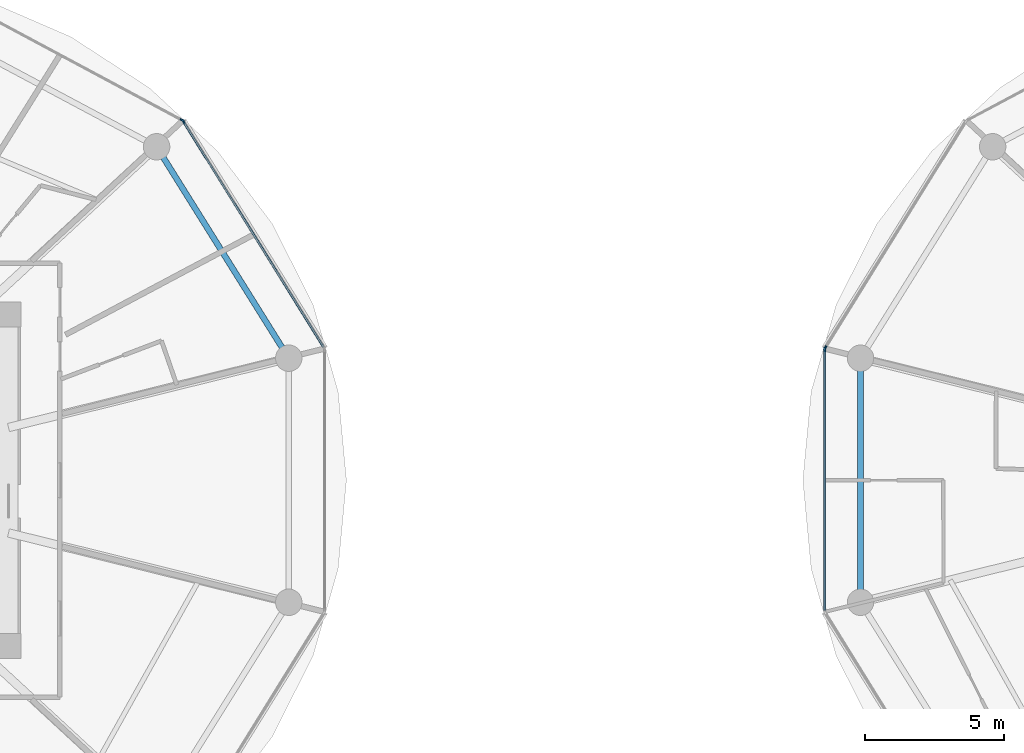
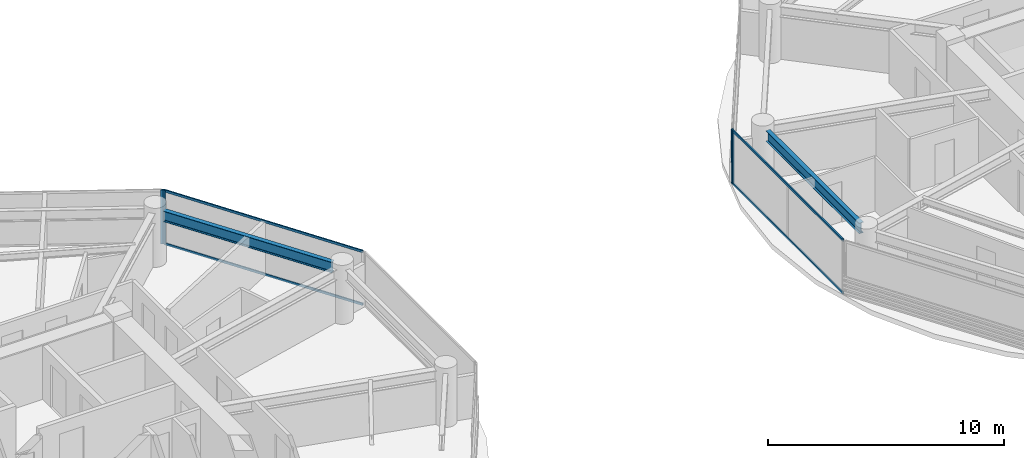
# One storey, part 7 of 27: 8 members, 2 beams, 4 elements without a shape of their own.
"""IFC4 building model written with IfcOpenShell, lengths in metres."""

from ifc_helpers import new_model, si_unit, direction, frame, origin, origin_2d, place, context, subcontext, project, spatial, rectangle, i_section, extrude, source, transform, mapped, material, layer, layer_set, material_profile, profile_set, type_object, type_shapes, element, aggregate, save


model = new_model("IFC4")

# Units and contexts
model_context = context("Model", 3, precision=1e-05, world=origin(), true_north=direction((0.0, 1.0)))
body_context = subcontext(model_context, "Body", "Model", "MODEL_VIEW")
ifc_project = project(units=[si_unit("LENGTHUNIT", "METRE"), si_unit("AREAUNIT", "SQUARE_METRE"), si_unit("VOLUMEUNIT", "CUBIC_METRE"), si_unit("PLANEANGLEUNIT", "RADIAN"), si_unit("MASSUNIT", "GRAM", prefix="KILO")], contexts=[model_context])

# Site, building, storey
site_placement = place(None, origin())
site = spatial("IfcSite", under=ifc_project, at=site_placement, CompositionType="ELEMENT")
building_placement = place(site_placement, origin())
building = spatial("IfcBuilding", under=site, at=building_placement, Name="Norrkilde Senior Care Towers", CompositionType="ELEMENT")
storey_placement = place(building_placement, frame((0.0, 0.0, 30.75)))
storey = spatial("IfcBuildingStorey", under=building, at=storey_placement, Name="L08", CompositionType="ELEMENT", Elevation=30.75)

# Beams
ifc_material_1 = material(Name="Steel S355", Category="steel")
ifc_material_profile_1 = material_profile(ifc_material_1, i_section(OverallWidth=0.2099609375, OverallDepth=0.550048828125, WebThickness=0.010986328125, FlangeThickness=0.01708984375, FilletRadius=0.02392578125, at=origin_2d()), Name="IPE 550")
ifc_profile_set_1 = profile_set([ifc_material_profile_1], Name="Steel S355")
beam_type = type_object("IfcBeamType", Name="Perimeter Ring Spandrel Z1 IPE550", PredefinedType="SPANDREL", material=ifc_profile_set_1)
shared_shape_1 = source(origin(), body_context, "Body", "SweptSolid", [
    extrude(i_section(OverallWidth=0.2099609375, OverallDepth=0.550048828125, WebThickness=0.010986328125, FlangeThickness=0.01708984375, FilletRadius=0.02392578125, at=origin_2d()), origin(), (0.0, 0.0, 1.0), 8.090576171875),
])
beam_1_placement = place(storey_placement, frame((-10.505859375, 4.755859375, 2.514892578125), z_axis=(-0.530004364821, 0.84799491347, 0.0), x_axis=(-0.84799491347, -0.530004364821, 0.0)))
element("IfcBeam", 1, at=beam_1_placement, inside=storey, type_object=beam_type, Name="L08 Drum W Perimeter Spandrel 01", PredefinedType="SPANDREL", context=body_context, shape_type="MappedRepresentation", body=[
    mapped(shared_shape_1, transform((0.0, 0.0, 0.0), x_axis=(1.0, 0.0, 0.0), y_axis=(0.0, 1.0, 0.0), z_axis=(0.0, 0.0, 1.0), scale=1.0)),
])
shared_shape_2 = source(origin(), body_context, "Body", "SweptSolid", [
    extrude(i_section(OverallWidth=0.2099609375, OverallDepth=0.550048828125, WebThickness=0.010986328125, FlangeThickness=0.01708984375, FilletRadius=0.02392578125, at=origin_2d()), origin(), (0.0, 0.0, 1.0), 7.90380859375),
])
type_shapes(beam_type, [shared_shape_1, shared_shape_2])
beam_2_placement = place(storey_placement, frame((10.275146484375, 3.951904296875, 2.514892578125), z_axis=(0.0, -1.0, 0.0), x_axis=(1.0, 0.0, 0.0)))
element("IfcBeam", 2, at=beam_2_placement, inside=storey, type_object=beam_type, Name="L08 Drum E Perimeter Spandrel 06", PredefinedType="SPANDREL", context=body_context, shape_type="MappedRepresentation", body=[
    mapped(shared_shape_2, transform((0.0, 0.0, 0.0), x_axis=(1.0, 0.0, 0.0), y_axis=(0.0, 1.0, 0.0), z_axis=(0.0, 0.0, 1.0), scale=1.0)),
])

# Curtain wall, member
ifc_material_2 = material(Name="Triple Low-E Insulated Glazing", Category="glass")
ifc_layer = layer(ifc_material_2, 0.199951171875)
ifc_layer_set = layer_set([ifc_layer], Name="Triple Low-E Insulated Glazing")
curtain_wall_type = type_object("IfcCurtainWallType", Name="CW2 Zone 1 Memory Care Curtain Wall", PredefinedType="NOTDEFINED", material=ifc_layer_set)
curtain_wall_1_placement = place(storey_placement, origin())
curtain_wall_1 = element("IfcCurtainWall", 3, at=curtain_wall_1_placement, inside=storey, type_object=curtain_wall_type, Name="L08 Drum W Curtain Wall 00", PredefinedType="NOTDEFINED")
ifc_material_3 = material(Name="Anodised Aluminium", Category="aluminium")
ifc_material_profile_2 = material_profile(ifc_material_3, rectangle(XDim=0.06494140625, YDim=0.159912109375, at=origin_2d()), Name="ALU MULL 65x160")
ifc_profile_set_2 = profile_set([ifc_material_profile_2], Name="Anodised Aluminium")
member_type_1 = type_object("IfcMemberType", Name="Curtain Wall Mullion Z1-Z2 65x160", PredefinedType="MULLION", material=ifc_profile_set_2)
shared_shape_3 = source(origin(), body_context, "Body", "SweptSolid", [
    extrude(rectangle(XDim=0.06494140625, YDim=0.159912109375, at=origin_2d()), origin(), (0.0, 0.0, 1.0), 2.7900390625),
])
type_shapes(member_type_1, [shared_shape_3])
member_1_placement = place(storey_placement, frame((-14.06689453125, 12.898193359375, 0.0), z_axis=(0.0, 0.0, 1.0), x_axis=(0.849305943117, 0.527900951871, 0.0)))
member_1 = element("IfcMember", 4, at=member_1_placement, type_object=member_type_1, Name="CW-2 mullion 1", PredefinedType="MULLION", context=body_context, shape_type="MappedRepresentation", body=[
    mapped(shared_shape_3, transform((0.0, 0.0, 0.0), x_axis=(1.0, 0.0, 0.0), y_axis=(0.0, 1.0, 0.0), z_axis=(0.0, 0.0, 1.0), scale=1.0)),
])

curtain_wall_2_placement = place(storey_placement, origin())
curtain_wall_2 = element("IfcCurtainWall", 5, at=curtain_wall_2_placement, inside=storey, type_object=curtain_wall_type, Name="L08 Drum W Curtain Wall 01", PredefinedType="NOTDEFINED")
member_2_placement = place(storey_placement, frame((-14.11279296875, 12.941162109375, 0.0), z_axis=(0.0, 0.0, 1.0), x_axis=(0.472607802456, 0.881272866403, 0.0)))
member_2 = element("IfcMember", 6, at=member_2_placement, type_object=member_type_1, Name="CW-2 mullion 2", PredefinedType="MULLION", context=body_context, shape_type="MappedRepresentation", body=[
    mapped(shared_shape_3, transform((0.0, 0.0, 0.0), x_axis=(1.0, 0.0, 0.0), y_axis=(0.0, 1.0, 0.0), z_axis=(0.0, 0.0, 1.0), scale=1.0)),
])
aggregate(curtain_wall_2, [member_2])

curtain_wall_3_placement = place(storey_placement, origin())
curtain_wall_3 = element("IfcCurtainWall", 7, at=curtain_wall_3_placement, inside=storey, type_object=curtain_wall_type, Name="L08 Drum E Curtain Wall 04", PredefinedType="NOTDEFINED")
member_3_placement = place(storey_placement, frame((9.0078125, 4.7587890625, 0.0), z_axis=(0.0, 0.0, 1.0), x_axis=(-0.849305943117, 0.527900951871, 0.0)))
member_3 = element("IfcMember", 8, at=member_3_placement, type_object=member_type_1, Name="CW-2 mullion 1", PredefinedType="MULLION", context=body_context, shape_type="MappedRepresentation", body=[
    mapped(shared_shape_3, transform((0.0, 0.0, 0.0), x_axis=(1.0, 0.0, 0.0), y_axis=(0.0, 1.0, 0.0), z_axis=(0.0, 0.0, 1.0), scale=1.0)),
])
aggregate(curtain_wall_3, [member_3])

curtain_wall_4_placement = place(storey_placement, origin())
curtain_wall_4 = element("IfcCurtainWall", 9, at=curtain_wall_4_placement, inside=storey, type_object=curtain_wall_type, Name="L08 Drum E Curtain Wall 05", PredefinedType="NOTDEFINED")
member_4_placement = place(storey_placement, frame((8.990478515625, 4.69873046875, 0.0), z_axis=(0.0, 0.0, 1.0), x_axis=(-1.0, 0.0, 0.0)))
member_4 = element("IfcMember", 10, at=member_4_placement, type_object=member_type_1, Name="CW-2 mullion 2", PredefinedType="MULLION", context=body_context, shape_type="MappedRepresentation", body=[
    mapped(shared_shape_3, transform((0.0, 0.0, 0.0), x_axis=(1.0, 0.0, 0.0), y_axis=(0.0, 1.0, 0.0), z_axis=(0.0, 0.0, 1.0), scale=1.0)),
])

# Member
ifc_material_profile_3 = material_profile(ifc_material_3, rectangle(XDim=0.06005859375, YDim=0.1201171875, at=origin_2d()), Name="ALU TRAN 60x120")
ifc_profile_set_3 = profile_set([ifc_material_profile_3], Name="Anodised Aluminium")
member_type_2 = type_object("IfcMemberType", Name="Curtain Wall Transom Typical 60x120", PredefinedType="USERDEFINED", material=ifc_profile_set_3)
shared_shape_4 = source(origin(), body_context, "Body", "SweptSolid", [
    extrude(rectangle(XDim=0.06005859375, YDim=0.1201171875, at=origin_2d()), origin(), (0.0, 0.0, 1.0), 9.5185546875),
])
member_5_placement = place(storey_placement, frame((-14.0498046875, 12.87060546875, 0.030029296875), z_axis=(0.527901620669, -0.849305527413, 0.0), x_axis=(0.849305527413, 0.527901620669, 0.0)))
member_5 = element("IfcMember", 11, at=member_5_placement, type_object=member_type_2, Name="CW-2 transom 1.1", ObjectType="TRANSOM", PredefinedType="USERDEFINED", context=body_context, shape_type="MappedRepresentation", body=[
    mapped(shared_shape_4, transform((0.0, 0.0, 0.0), x_axis=(1.0, 0.0, 0.0), y_axis=(0.0, 1.0, 0.0), z_axis=(0.0, 0.0, 1.0), scale=1.0)),
])

member_6_placement = place(storey_placement, frame((-14.0498046875, 12.87060546875, 2.760009765625), z_axis=(0.527901620669, -0.849305527413, 0.0), x_axis=(0.849305527413, 0.527901620669, 0.0)))
member_6 = element("IfcMember", 12, at=member_6_placement, type_object=member_type_2, Name="CW-2 transom 1.2", ObjectType="TRANSOM", PredefinedType="USERDEFINED", context=body_context, shape_type="MappedRepresentation", body=[
    mapped(shared_shape_4, transform((0.0, 0.0, 0.0), x_axis=(1.0, 0.0, 0.0), y_axis=(0.0, 1.0, 0.0), z_axis=(0.0, 0.0, 1.0), scale=1.0)),
])

aggregate(curtain_wall_1, [member_1, member_5, member_6])

shared_shape_5 = source(origin(), body_context, "Body", "SweptSolid", [
    extrude(rectangle(XDim=0.06005859375, YDim=0.1201171875, at=origin_2d()), origin(), (0.0, 0.0, 1.0), 9.33251953125),
])
type_shapes(member_type_2, [shared_shape_4, shared_shape_5])
member_7_placement = place(storey_placement, frame((8.990478515625, -4.666259765625, 0.030029296875), z_axis=(0.0, 1.0, 0.0), x_axis=(-1.0, 0.0, 0.0)))
member_7 = element("IfcMember", 13, at=member_7_placement, type_object=member_type_2, Name="CW-2 transom 1.1", ObjectType="TRANSOM", PredefinedType="USERDEFINED", context=body_context, shape_type="MappedRepresentation", body=[
    mapped(shared_shape_5, transform((0.0, 0.0, 0.0), x_axis=(1.0, 0.0, 0.0), y_axis=(0.0, 1.0, 0.0), z_axis=(0.0, 0.0, 1.0), scale=1.0)),
])

member_8_placement = place(storey_placement, frame((8.990478515625, -4.666259765625, 2.760009765625), z_axis=(0.0, 1.0, 0.0), x_axis=(-1.0, 0.0, 0.0)))
member_8 = element("IfcMember", 14, at=member_8_placement, type_object=member_type_2, Name="CW-2 transom 1.2", ObjectType="TRANSOM", PredefinedType="USERDEFINED", context=body_context, shape_type="MappedRepresentation", body=[
    mapped(shared_shape_5, transform((0.0, 0.0, 0.0), x_axis=(1.0, 0.0, 0.0), y_axis=(0.0, 1.0, 0.0), z_axis=(0.0, 0.0, 1.0), scale=1.0)),
])

aggregate(curtain_wall_4, [member_4, member_7, member_8])

save(model, "model.ifc")
